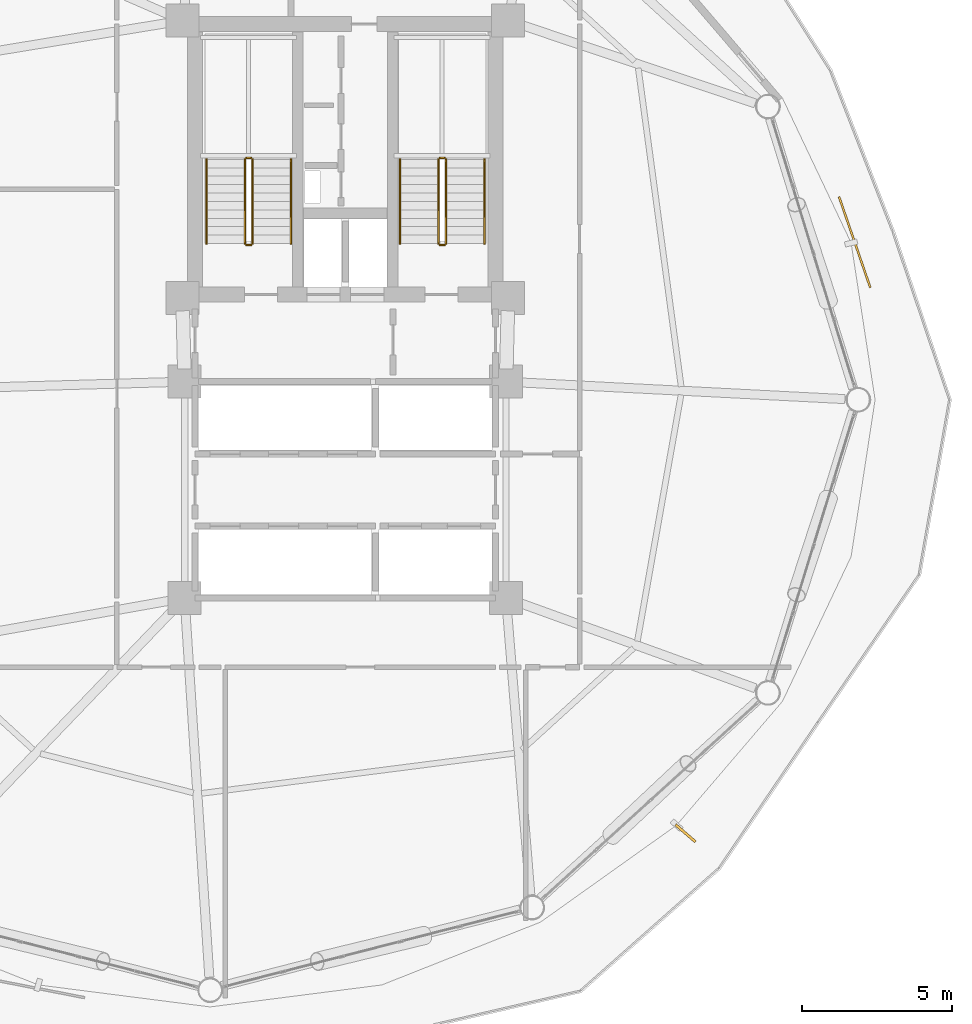
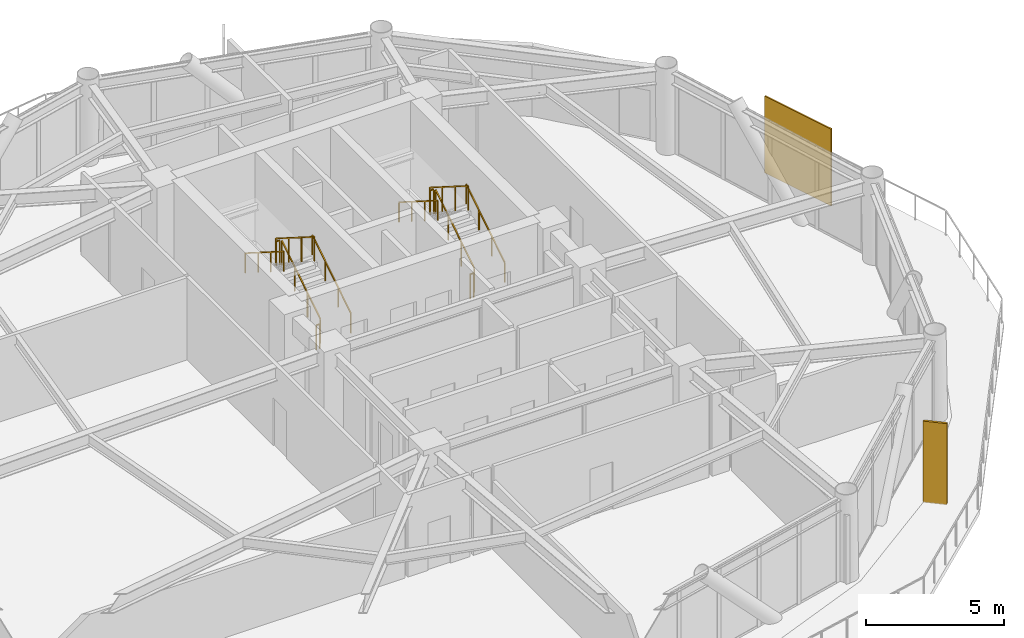
# One storey, part 23 of 24: 12 railings, 2 shading devices.
"""IFC4 building model written with IfcOpenShell, lengths in metres."""

from ifc_helpers import new_model, si_unit, direction, frame, origin, origin_2d, place, context, subcontext, project, spatial, rectangle, extrude, source, transform, mapped, material, type_object, type_shapes, element, save


model = new_model("IFC4")

# Units and contexts
model_context = context("Model", 3, precision=1e-05, world=origin(), true_north=direction((0.0, 1.0)))
body_context = subcontext(model_context, "Body", "Model", "MODEL_VIEW")
ifc_project = project(units=[si_unit("LENGTHUNIT", "METRE"), si_unit("AREAUNIT", "SQUARE_METRE"), si_unit("VOLUMEUNIT", "CUBIC_METRE"), si_unit("PLANEANGLEUNIT", "RADIAN"), si_unit("MASSUNIT", "GRAM", prefix="KILO")], contexts=[model_context])

# Site, building, storey
site_placement = place(None, origin())
site = spatial("IfcSite", under=ifc_project, at=site_placement, CompositionType="ELEMENT")
building_placement = place(site_placement, origin())
building = spatial("IfcBuilding", under=site, at=building_placement, Name="Varnakorn Sky Granary", CompositionType="ELEMENT")
storey_placement = place(building_placement, frame((0.0, 0.0, 103.199951171875)))
storey = spatial("IfcBuildingStorey", under=building, at=storey_placement, Name="L25", CompositionType="ELEMENT", Elevation=103.199951171875)

# Railings
ifc_material_1 = material(Name="Brushed Stainless Steel 316", Category="steel")
railing_type_1 = type_object("IfcRailingType", Name="RL-STAIR-1100", PredefinedType="GUARDRAIL", material=ifc_material_1)
railing_1_placement = place(storey_placement, frame((-0.090087890625, 5.199951171875, 0.17724609375)))
element("IfcRailing", 1, at=railing_1_placement, inside=storey, type_object=railing_type_1, Name="L25 ST-1 stair guard 1", PredefinedType="GUARDRAIL", context=body_context, shape_type="SweptSolid", body=[
    extrude(rectangle(XDim=0.048095703125, YDim=0.048095703125, at=origin_2d()), frame((0.0, 0.0, 1.076171875), z_axis=(0.0, 0.844908973607, 0.534910110503), x_axis=(-1.0, 0.0, 0.0)), (0.0, 0.0, 1.0), 3.31396484375),
    extrude(rectangle(XDim=0.0419921875, YDim=0.0419921875, at=origin_2d()), origin(), (0.0, 0.0, 1.0), 1.048095703125),
    extrude(rectangle(XDim=0.0419921875, YDim=0.0419921875, at=origin_2d()), frame((0.0, 0.933349609375, 0.5908203125)), (0.0, 0.0, 1.0), 1.048095703125),
    extrude(rectangle(XDim=0.0419921875, YDim=0.0419921875, at=origin_2d()), frame((0.0, 1.86669921875, 1.181884765625)), (0.0, 0.0, 1.0), 1.048095703125),
    extrude(rectangle(XDim=0.0419921875, YDim=0.0419921875, at=origin_2d()), frame((0.0, 2.800048828125, 1.772705078125)), (0.0, 0.0, 1.0), 1.048095703125),
])
railing_2_placement = place(storey_placement, frame((-0.139892578125, 8.050048828125, 1.949951171875)))
element("IfcRailing", 2, at=railing_2_placement, inside=storey, type_object=railing_type_1, Name="L25 ST-1 stair guard 2", PredefinedType="GUARDRAIL", context=body_context, shape_type="SweptSolid", body=[
    extrude(rectangle(XDim=0.048095703125, YDim=0.048095703125, at=origin_2d()), frame((0.0, 0.0, 1.076171875), z_axis=(-1.0, 0.0, 0.0), x_axis=(0.0, -1.0, 0.0)), (0.0, 0.0, 1.0), 0.150146484375),
    extrude(rectangle(XDim=0.0419921875, YDim=0.0419921875, at=origin_2d()), origin(), (0.0, 0.0, 1.0), 1.048095703125),
    extrude(rectangle(XDim=0.0419921875, YDim=0.0419921875, at=origin_2d()), frame((-0.150146484375, 0.0, 0.0)), (0.0, 0.0, 1.0), 1.048095703125),
])
railing_3_placement = place(storey_placement, frame((-0.340087890625, 8.0, 2.12744140625)))
element("IfcRailing", 3, at=railing_3_placement, inside=storey, type_object=railing_type_1, Name="L25 ST-1 stair guard 3", PredefinedType="GUARDRAIL", context=body_context, shape_type="SweptSolid", body=[
    extrude(rectangle(XDim=0.048095703125, YDim=0.048095703125, at=origin_2d()), frame((0.0, 0.0, 1.076171875), z_axis=(0.0, -0.844908973607, 0.534910110503), x_axis=(1.0, 0.0, 0.0)), (0.0, 0.0, 1.0), 3.31396484375),
    extrude(rectangle(XDim=0.0419921875, YDim=0.0419921875, at=origin_2d()), origin(), (0.0, 0.0, 1.0), 1.048095703125),
    extrude(rectangle(XDim=0.0419921875, YDim=0.0419921875, at=origin_2d()), frame((0.0, -0.933349609375, 0.5908203125)), (0.0, 0.0, 1.0), 1.048095703125),
    extrude(rectangle(XDim=0.0419921875, YDim=0.0419921875, at=origin_2d()), frame((0.0, -1.86669921875, 1.181884765625)), (0.0, 0.0, 1.0), 1.048095703125),
    extrude(rectangle(XDim=0.0419921875, YDim=0.0419921875, at=origin_2d()), frame((0.0, -2.800048828125, 1.772705078125)), (0.0, 0.0, 1.0), 1.048095703125),
])
railing_4_placement = place(storey_placement, frame((-0.139892578125, 5.14990234375, 0.0)))
element("IfcRailing", 4, at=railing_4_placement, inside=storey, type_object=railing_type_1, Name="L25 ST-1 stair guard 4", PredefinedType="GUARDRAIL", context=body_context, shape_type="SweptSolid", body=[
    extrude(rectangle(XDim=0.048095703125, YDim=0.048095703125, at=origin_2d()), frame((0.0, 0.0, 1.076171875), z_axis=(-1.0, 0.0, 0.0), x_axis=(0.0, -1.0, 0.0)), (0.0, 0.0, 1.0), 0.150146484375),
    extrude(rectangle(XDim=0.0419921875, YDim=0.0419921875, at=origin_2d()), origin(), (0.0, 0.0, 1.0), 1.048095703125),
    extrude(rectangle(XDim=0.0419921875, YDim=0.0419921875, at=origin_2d()), frame((-0.150146484375, 0.0, 0.0)), (0.0, 0.0, 1.0), 1.048095703125),
])
railing_5_placement = place(storey_placement, frame((6.35009765625, 5.199951171875, 0.17724609375)))
element("IfcRailing", 5, at=railing_5_placement, inside=storey, type_object=railing_type_1, Name="L25 ST-2 stair guard 1", PredefinedType="GUARDRAIL", context=body_context, shape_type="SweptSolid", body=[
    extrude(rectangle(XDim=0.048095703125, YDim=0.048095703125, at=origin_2d()), frame((0.0, 0.0, 1.076171875), z_axis=(0.0, 0.844908973607, 0.534910110503), x_axis=(-1.0, 0.0, 0.0)), (0.0, 0.0, 1.0), 3.31396484375),
    extrude(rectangle(XDim=0.0419921875, YDim=0.0419921875, at=origin_2d()), origin(), (0.0, 0.0, 1.0), 1.048095703125),
    extrude(rectangle(XDim=0.0419921875, YDim=0.0419921875, at=origin_2d()), frame((0.0, 0.933349609375, 0.5908203125)), (0.0, 0.0, 1.0), 1.048095703125),
    extrude(rectangle(XDim=0.0419921875, YDim=0.0419921875, at=origin_2d()), frame((0.0, 1.86669921875, 1.181884765625)), (0.0, 0.0, 1.0), 1.048095703125),
    extrude(rectangle(XDim=0.0419921875, YDim=0.0419921875, at=origin_2d()), frame((0.0, 2.800048828125, 1.772705078125)), (0.0, 0.0, 1.0), 1.048095703125),
])
railing_6_placement = place(storey_placement, frame((6.300048828125, 8.050048828125, 1.949951171875)))
element("IfcRailing", 6, at=railing_6_placement, inside=storey, type_object=railing_type_1, Name="L25 ST-2 stair guard 2", PredefinedType="GUARDRAIL", context=body_context, shape_type="SweptSolid", body=[
    extrude(rectangle(XDim=0.048095703125, YDim=0.048095703125, at=origin_2d()), frame((0.0, 0.0, 1.076171875), z_axis=(-1.0, 0.0, 0.0), x_axis=(0.0, -1.0, 0.0)), (0.0, 0.0, 1.0), 0.150146484375),
    extrude(rectangle(XDim=0.0419921875, YDim=0.0419921875, at=origin_2d()), origin(), (0.0, 0.0, 1.0), 1.048095703125),
    extrude(rectangle(XDim=0.0419921875, YDim=0.0419921875, at=origin_2d()), frame((-0.150146484375, 0.0, 0.0)), (0.0, 0.0, 1.0), 1.048095703125),
])
railing_7_placement = place(storey_placement, frame((6.10009765625, 8.0, 2.12744140625)))
element("IfcRailing", 7, at=railing_7_placement, inside=storey, type_object=railing_type_1, Name="L25 ST-2 stair guard 3", PredefinedType="GUARDRAIL", context=body_context, shape_type="SweptSolid", body=[
    extrude(rectangle(XDim=0.048095703125, YDim=0.048095703125, at=origin_2d()), frame((0.0, 0.0, 1.076171875), z_axis=(0.0, -0.844908973607, 0.534910110503), x_axis=(1.0, 0.0, 0.0)), (0.0, 0.0, 1.0), 3.31396484375),
    extrude(rectangle(XDim=0.0419921875, YDim=0.0419921875, at=origin_2d()), origin(), (0.0, 0.0, 1.0), 1.048095703125),
    extrude(rectangle(XDim=0.0419921875, YDim=0.0419921875, at=origin_2d()), frame((0.0, -0.933349609375, 0.5908203125)), (0.0, 0.0, 1.0), 1.048095703125),
    extrude(rectangle(XDim=0.0419921875, YDim=0.0419921875, at=origin_2d()), frame((0.0, -1.86669921875, 1.181884765625)), (0.0, 0.0, 1.0), 1.048095703125),
    extrude(rectangle(XDim=0.0419921875, YDim=0.0419921875, at=origin_2d()), frame((0.0, -2.800048828125, 1.772705078125)), (0.0, 0.0, 1.0), 1.048095703125),
])
railing_8_placement = place(storey_placement, frame((6.300048828125, 5.14990234375, 0.0)))
element("IfcRailing", 8, at=railing_8_placement, inside=storey, type_object=railing_type_1, Name="L25 ST-2 stair guard 4", PredefinedType="GUARDRAIL", context=body_context, shape_type="SweptSolid", body=[
    extrude(rectangle(XDim=0.048095703125, YDim=0.048095703125, at=origin_2d()), frame((0.0, 0.0, 1.076171875), z_axis=(-1.0, 0.0, 0.0), x_axis=(0.0, -1.0, 0.0)), (0.0, 0.0, 1.0), 0.150146484375),
    extrude(rectangle(XDim=0.0419921875, YDim=0.0419921875, at=origin_2d()), origin(), (0.0, 0.0, 1.0), 1.048095703125),
    extrude(rectangle(XDim=0.0419921875, YDim=0.0419921875, at=origin_2d()), frame((-0.150146484375, 0.0, 0.0)), (0.0, 0.0, 1.0), 1.048095703125),
])
railing_type_2 = type_object("IfcRailingType", Name="RL-STAIR-920", PredefinedType="HANDRAIL", material=ifc_material_1)
railing_9_placement = place(storey_placement, frame((1.18994140625, 5.199951171875, 0.17724609375)))
element("IfcRailing", 9, at=railing_9_placement, inside=storey, type_object=railing_type_2, Name="L25 ST-1 stair handrail 1", PredefinedType="HANDRAIL", context=body_context, shape_type="SweptSolid", body=[
    extrude(rectangle(XDim=0.048095703125, YDim=0.048095703125, at=origin_2d()), frame((0.0, 0.0, 0.8759765625), z_axis=(0.0, 0.844908973607, 0.534910110503), x_axis=(-1.0, 0.0, 0.0)), (0.0, 0.0, 1.0), 3.31396484375),
    extrude(rectangle(XDim=0.0419921875, YDim=0.0419921875, at=origin_2d()), origin(), (0.0, 0.0, 1.0), 0.847900390625),
    extrude(rectangle(XDim=0.0419921875, YDim=0.0419921875, at=origin_2d()), frame((0.0, 0.933349609375, 0.5908203125)), (0.0, 0.0, 1.0), 0.847900390625),
    extrude(rectangle(XDim=0.0419921875, YDim=0.0419921875, at=origin_2d()), frame((0.0, 1.86669921875, 1.181884765625)), (0.0, 0.0, 1.0), 0.847900390625),
    extrude(rectangle(XDim=0.0419921875, YDim=0.0419921875, at=origin_2d()), frame((0.0, 2.800048828125, 1.772705078125)), (0.0, 0.0, 1.0), 0.847900390625),
])
railing_10_placement = place(storey_placement, frame((-1.6201171875, 8.0, 2.12744140625)))
element("IfcRailing", 10, at=railing_10_placement, inside=storey, type_object=railing_type_2, Name="L25 ST-1 stair handrail 2", PredefinedType="HANDRAIL", context=body_context, shape_type="SweptSolid", body=[
    extrude(rectangle(XDim=0.048095703125, YDim=0.048095703125, at=origin_2d()), frame((0.0, 0.0, 0.8759765625), z_axis=(0.0, -0.844908973607, 0.534910110503), x_axis=(1.0, 0.0, 0.0)), (0.0, 0.0, 1.0), 3.31396484375),
    extrude(rectangle(XDim=0.0419921875, YDim=0.0419921875, at=origin_2d()), origin(), (0.0, 0.0, 1.0), 0.847900390625),
    extrude(rectangle(XDim=0.0419921875, YDim=0.0419921875, at=origin_2d()), frame((0.0, -0.933349609375, 0.5908203125)), (0.0, 0.0, 1.0), 0.847900390625),
    extrude(rectangle(XDim=0.0419921875, YDim=0.0419921875, at=origin_2d()), frame((0.0, -1.86669921875, 1.181884765625)), (0.0, 0.0, 1.0), 0.847900390625),
    extrude(rectangle(XDim=0.0419921875, YDim=0.0419921875, at=origin_2d()), frame((0.0, -2.800048828125, 1.772705078125)), (0.0, 0.0, 1.0), 0.847900390625),
])
railing_11_placement = place(storey_placement, frame((7.6298828125, 5.199951171875, 0.17724609375)))
element("IfcRailing", 11, at=railing_11_placement, inside=storey, type_object=railing_type_2, Name="L25 ST-2 stair handrail 1", PredefinedType="HANDRAIL", context=body_context, shape_type="SweptSolid", body=[
    extrude(rectangle(XDim=0.048095703125, YDim=0.048095703125, at=origin_2d()), frame((0.0, 0.0, 0.8759765625), z_axis=(0.0, 0.844908973607, 0.534910110503), x_axis=(-1.0, 0.0, 0.0)), (0.0, 0.0, 1.0), 3.31396484375),
    extrude(rectangle(XDim=0.0419921875, YDim=0.0419921875, at=origin_2d()), origin(), (0.0, 0.0, 1.0), 0.847900390625),
    extrude(rectangle(XDim=0.0419921875, YDim=0.0419921875, at=origin_2d()), frame((0.0, 0.933349609375, 0.5908203125)), (0.0, 0.0, 1.0), 0.847900390625),
    extrude(rectangle(XDim=0.0419921875, YDim=0.0419921875, at=origin_2d()), frame((0.0, 1.86669921875, 1.181884765625)), (0.0, 0.0, 1.0), 0.847900390625),
    extrude(rectangle(XDim=0.0419921875, YDim=0.0419921875, at=origin_2d()), frame((0.0, 2.800048828125, 1.772705078125)), (0.0, 0.0, 1.0), 0.847900390625),
])
railing_12_placement = place(storey_placement, frame((4.820068359375, 8.0, 2.12744140625)))
element("IfcRailing", 12, at=railing_12_placement, inside=storey, type_object=railing_type_2, Name="L25 ST-2 stair handrail 2", PredefinedType="HANDRAIL", context=body_context, shape_type="SweptSolid", body=[
    extrude(rectangle(XDim=0.048095703125, YDim=0.048095703125, at=origin_2d()), frame((0.0, 0.0, 0.8759765625), z_axis=(0.0, -0.844908973607, 0.534910110503), x_axis=(1.0, 0.0, 0.0)), (0.0, 0.0, 1.0), 3.31396484375),
    extrude(rectangle(XDim=0.0419921875, YDim=0.0419921875, at=origin_2d()), origin(), (0.0, 0.0, 1.0), 0.847900390625),
    extrude(rectangle(XDim=0.0419921875, YDim=0.0419921875, at=origin_2d()), frame((0.0, -0.933349609375, 0.5908203125)), (0.0, 0.0, 1.0), 0.847900390625),
    extrude(rectangle(XDim=0.0419921875, YDim=0.0419921875, at=origin_2d()), frame((0.0, -1.86669921875, 1.181884765625)), (0.0, 0.0, 1.0), 0.847900390625),
    extrude(rectangle(XDim=0.0419921875, YDim=0.0419921875, at=origin_2d()), frame((0.0, -2.800048828125, 1.772705078125)), (0.0, 0.0, 1.0), 0.847900390625),
])

# Shading devices
ifc_material_2 = material(Name="Anodised Bronze Aluminium Alloy 6063-T6", Category="aluminium")
shading_device_type_1 = type_object("IfcShadingDeviceType", Name="SH-FIN-01", PredefinedType="USERDEFINED", material=ifc_material_2)
shared_shape_1 = source(origin(), body_context, "Body", "SweptSolid", [
    extrude(rectangle(XDim=0.0849609375, YDim=0.8798828125, at=origin_2d()), origin(), (0.0, 0.0, 1.0), 3.60009765625),
])
type_shapes(shading_device_type_1, [shared_shape_1])
shading_device_1_placement = place(storey_placement, frame((14.322509765625, -14.428955078125, -0.0400390625), z_axis=(0.0, 0.0, 1.0), x_axis=(0.654625353741, 0.755953468303, 0.0)))
element("IfcShadingDevice", 13, at=shading_device_1_placement, inside=storey, type_object=shading_device_type_1, Name="Bronze Solar-Tracking Vertical Blade FIN L25-11", ObjectType="FIN", PredefinedType="USERDEFINED", context=body_context, shape_type="MappedRepresentation", body=[
    mapped(shared_shape_1, transform((0.0, 0.0, 0.0), x_axis=(1.0, 0.0, 0.0), y_axis=(0.0, 1.0, 0.0), z_axis=(0.0, 0.0, 1.0), scale=1.0)),
])
shading_device_type_2 = type_object("IfcShadingDeviceType", Name="SH-SCR-01", PredefinedType="USERDEFINED", material=ifc_material_2)
shared_shape_2 = source(origin(), body_context, "Body", "SweptSolid", [
    extrude(rectangle(XDim=3.199951171875, YDim=0.06494140625, at=origin_2d()), origin(), (0.0, 0.0, 1.0), 3.39990234375),
])
type_shapes(shading_device_type_2, [shared_shape_2])
shading_device_2_placement = place(storey_placement, frame((19.95263671875, 5.2451171875, -0.039794921875), z_axis=(0.0, 0.0, 1.0), x_axis=(-0.325384055462, 0.945581945921, 0.0)))
element("IfcShadingDevice", 14, at=shading_device_2_placement, inside=storey, type_object=shading_device_type_2, Name="Perforated Bronze Solar Screen Panel SCREEN L25-01", ObjectType="SCREEN", PredefinedType="USERDEFINED", context=body_context, shape_type="MappedRepresentation", body=[
    mapped(shared_shape_2, transform((0.0, 0.0, 0.0), x_axis=(1.0, 0.0, 0.0), y_axis=(0.0, 1.0, 0.0), z_axis=(0.0, 0.0, 1.0), scale=1.0)),
])

save(model, "model.ifc")
